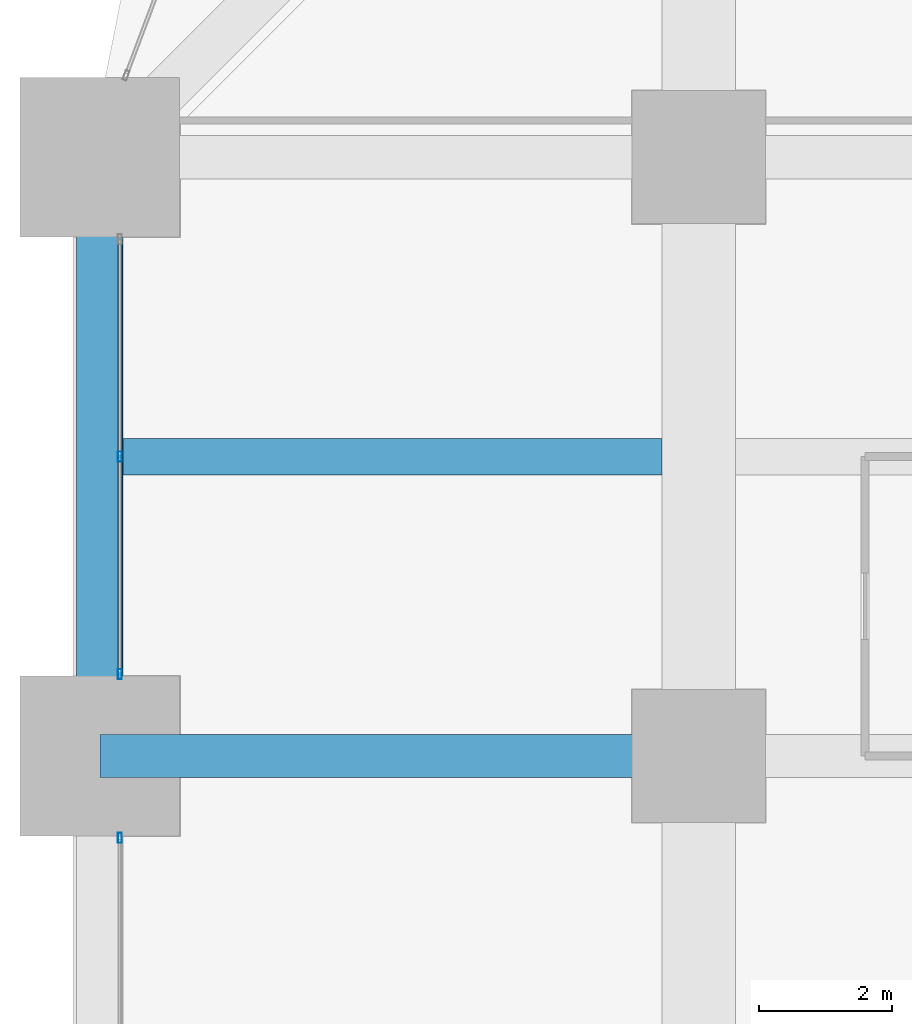
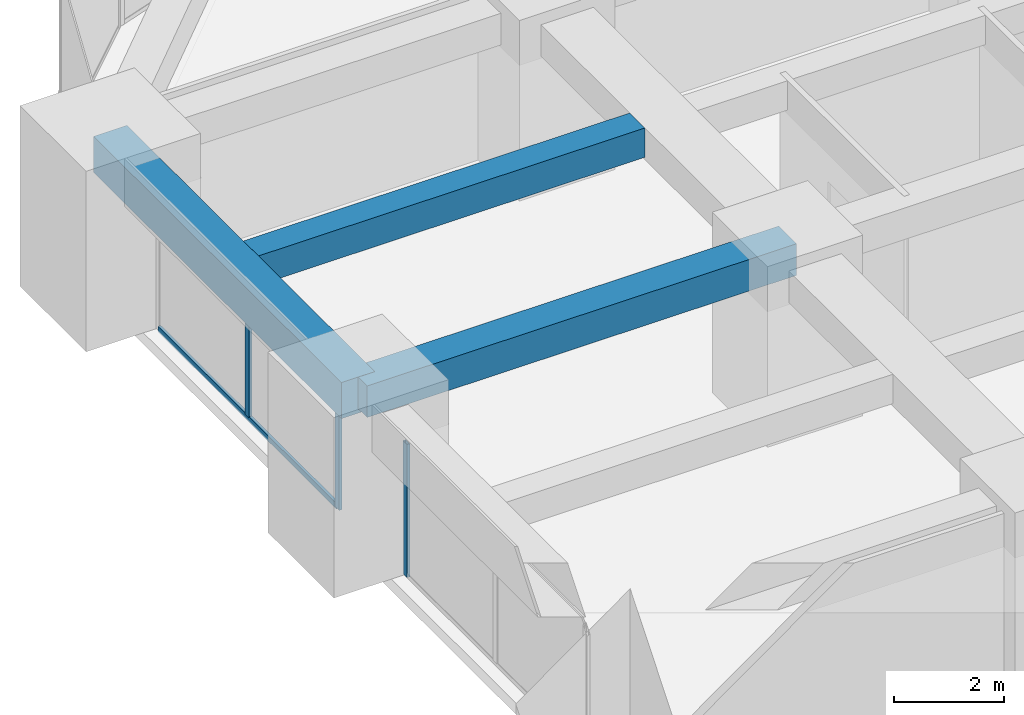
# One storey, part 11 of 39: 4 members, 3 beams, 2 elements without a shape of their own.
"""IFC4 building model written with IfcOpenShell, lengths in metres."""

from ifc_helpers import new_model, si_unit, direction, frame, origin, origin_2d, place, context, subcontext, project, spatial, rectangle, hollow_rectangle, extrude, material, material_profile, profile_set, type_object, element, aggregate, save


model = new_model("IFC4")

# Units and contexts
model_context = context("Model", 3, precision=1e-05, world=origin(), true_north=direction((0.0, 1.0)))
body_context = subcontext(model_context, "Body", "Model", "MODEL_VIEW")
ifc_project = project(units=[si_unit("LENGTHUNIT", "METRE"), si_unit("AREAUNIT", "SQUARE_METRE"), si_unit("VOLUMEUNIT", "CUBIC_METRE"), si_unit("PLANEANGLEUNIT", "RADIAN"), si_unit("MASSUNIT", "GRAM", prefix="KILO")], contexts=[model_context])

# Site, building, storey
site_placement = place(None, origin())
site = spatial("IfcSite", under=ifc_project, at=site_placement, CompositionType="ELEMENT")
building_placement = place(site_placement, origin())
building = spatial("IfcBuilding", under=site, at=building_placement, Name="Zorevar Civic Tower", CompositionType="ELEMENT")
storey_placement = place(building_placement, frame((0.0, 0.0, 121.0)))
storey = spatial("IfcBuildingStorey", under=building, at=storey_placement, Name="L29", CompositionType="ELEMENT", Elevation=121.0)

# Beams
ifc_material_1 = material(Name="Concrete C50/60", Category="concrete")
ifc_material_profile_1 = material_profile(ifc_material_1, rectangle(XDim=0.550048828125, YDim=0.64990234375, at=origin_2d()), Name="RC 550x650")
ifc_profile_set_1 = profile_set([ifc_material_profile_1], Name="Concrete C50/60")
beam_type_1 = type_object("IfcBeamType", Name="Beam RC 550x650", PredefinedType="BEAM", material=ifc_profile_set_1)
beam_1_placement = place(storey_placement, frame((0.35009765625, 31.5, 3.425048828125), z_axis=(1.0, 0.0, 0.0), x_axis=(0.0, 1.0, 0.0)))
element("IfcBeam", 1, at=beam_1_placement, inside=storey, type_object=beam_type_1, Name="Secondary beam L30", PredefinedType="BEAM", context=body_context, shape_type="SweptSolid", body=[
    extrude(rectangle(XDim=0.550048828125, YDim=0.64990234375, at=origin_2d()), origin(), (0.0, 0.0, 1.0), 8.099853515625),
])
ifc_material_2 = material(Name="Concrete C50/60", Category="concrete")
ifc_material_profile_2 = material_profile(ifc_material_2, rectangle(XDim=0.64990234375, YDim=0.699951171875, at=origin_2d()), Name="RC 650x700")
ifc_profile_set_2 = profile_set([ifc_material_profile_2], Name="Concrete C50/60")
beam_type_2 = type_object("IfcBeamType", Name="Beam RC 650x700", PredefinedType="BEAM", material=ifc_profile_set_2)
beam_2_placement = place(storey_placement, frame((0.0, 27.0, 3.39990234375), z_axis=(1.0, 0.0, 0.0), x_axis=(0.0, 1.0, 0.0)))
element("IfcBeam", 2, at=beam_2_placement, inside=storey, type_object=beam_type_2, Name="Girder L30", PredefinedType="BEAM", context=body_context, shape_type="SweptSolid", body=[
    extrude(rectangle(XDim=0.64990234375, YDim=0.699951171875, at=origin_2d()), origin(), (0.0, 0.0, 1.0), 9.0),
])

# Curtain wall, member
ifc_material_3 = material(Name="Dark grey solar-control glass in black aluminium frame", Category="aluminium")
curtain_wall_type = type_object("IfcCurtainWallType", Name="Curtain wall CW3 mid zone", PredefinedType="NOTDEFINED", material=ifc_material_3)
curtain_wall_1_placement = place(storey_placement, origin())
curtain_wall_1 = element("IfcCurtainWall", 3, at=curtain_wall_1_placement, inside=storey, type_object=curtain_wall_type, Name="CW3 L29", PredefinedType="NOTDEFINED")
ifc_material_4 = material(Name="Aluminium, black anodised", Category="aluminium")
ifc_material_profile_3 = material_profile(ifc_material_4, hollow_rectangle(XDim=0.06005859375, YDim=0.14990234375, WallThickness=0.00390625, at=origin_2d()), Name="AL 150x60x4")
ifc_profile_set_3 = profile_set([ifc_material_profile_3], Name="Aluminium, black anodised")
member_type_1 = type_object("IfcMemberType", Name="CW3 mullion AL 150x60x4", PredefinedType="MULLION", material=ifc_profile_set_3)
member_1_placement = place(storey_placement, frame((0.300048828125, 25.77001953125, 0.0), z_axis=(0.0, 0.0, 1.0), x_axis=(-1.0, 0.0, 0.0)))
member_1 = element("IfcMember", 4, at=member_1_placement, type_object=member_type_1, Name="CW3 mullion 3", PredefinedType="MULLION", context=body_context, shape_type="SweptSolid", body=[
    extrude(hollow_rectangle(XDim=0.06005859375, YDim=0.14990234375, WallThickness=0.00390625, at=origin_2d()), origin(), (0.0, 0.0, 1.0), 2.949951171875),
])
aggregate(curtain_wall_1, [member_1])

# Curtain wall, members
curtain_wall_2_placement = place(storey_placement, origin())
curtain_wall_2 = element("IfcCurtainWall", 5, at=curtain_wall_2_placement, inside=storey, type_object=curtain_wall_type, Name="CW3 L29", PredefinedType="NOTDEFINED")
member_2_placement = place(storey_placement, frame((0.300048828125, 28.22998046875, 0.0), z_axis=(0.0, 0.0, 1.0), x_axis=(-1.0, 0.0, 0.0)))
member_2 = element("IfcMember", 6, at=member_2_placement, type_object=member_type_1, Name="CW3 mullion 1", PredefinedType="MULLION", context=body_context, shape_type="SweptSolid", body=[
    extrude(hollow_rectangle(XDim=0.06005859375, YDim=0.14990234375, WallThickness=0.00390625, at=origin_2d()), origin(), (0.0, 0.0, 1.0), 2.949951171875),
])
member_3_placement = place(storey_placement, frame((0.300048828125, 31.5, 0.06005859375), z_axis=(0.0, 0.0, 1.0), x_axis=(-1.0, 0.0, 0.0)))
member_3 = element("IfcMember", 7, at=member_3_placement, type_object=member_type_1, Name="CW3 mullion 2", PredefinedType="MULLION", context=body_context, shape_type="SweptSolid", body=[
    extrude(hollow_rectangle(XDim=0.06005859375, YDim=0.14990234375, WallThickness=0.00390625, at=origin_2d()), origin(), (0.0, 0.0, 1.0), 2.889892578125),
])
ifc_material_5 = material(Name="Aluminium, black anodised", Category="aluminium")
ifc_material_profile_4 = material_profile(ifc_material_5, hollow_rectangle(XDim=0.06005859375, YDim=0.1201171875, WallThickness=0.0029296875, at=origin_2d()), Name="AL 120x60x3")
ifc_profile_set_4 = profile_set([ifc_material_profile_4], Name="Aluminium, black anodised")
member_type_2 = type_object("IfcMemberType", Name="CW3 transom AL 120x60x3", PredefinedType="USERDEFINED", material=ifc_profile_set_4)
member_4_placement = place(storey_placement, frame((0.300048828125, 28.260009765625, 0.030029296875), z_axis=(0.0, 1.0, 0.0), x_axis=(-1.0, 0.0, 0.0)))
member_4 = element("IfcMember", 8, at=member_4_placement, type_object=member_type_2, Name="CW3 sill transom", ObjectType="TRANSOM", PredefinedType="USERDEFINED", context=body_context, shape_type="SweptSolid", body=[
    extrude(hollow_rectangle(XDim=0.06005859375, YDim=0.1201171875, WallThickness=0.0029296875, at=origin_2d()), origin(), (0.0, 0.0, 1.0), 6.47998046875),
])
aggregate(curtain_wall_2, [member_2, member_3, member_4])

# Beam
ifc_material_6 = material(Name="Concrete C50/60", Category="concrete")
ifc_material_profile_5 = material_profile(ifc_material_6, rectangle(XDim=0.699951171875, YDim=0.800048828125, at=origin_2d()), Name="RC 700x800")
ifc_profile_set_5 = profile_set([ifc_material_profile_5], Name="Concrete C50/60")
beam_type_3 = type_object("IfcBeamType", Name="Edge beam RC 700x800", PredefinedType="SPANDREL", material=ifc_profile_set_5)
beam_3_placement = place(storey_placement, frame((0.0, 27.0, 3.35009765625), z_axis=(0.0, 1.0, 0.0), x_axis=(-1.0, 0.0, 0.0)))
element("IfcBeam", 9, at=beam_3_placement, inside=storey, type_object=beam_type_3, Name="Edge beam L30", PredefinedType="SPANDREL", context=body_context, shape_type="SweptSolid", body=[
    extrude(rectangle(XDim=0.699951171875, YDim=0.800048828125, at=origin_2d()), origin(), (0.0, 0.0, 1.0), 9.0),
])

save(model, "model.ifc")
